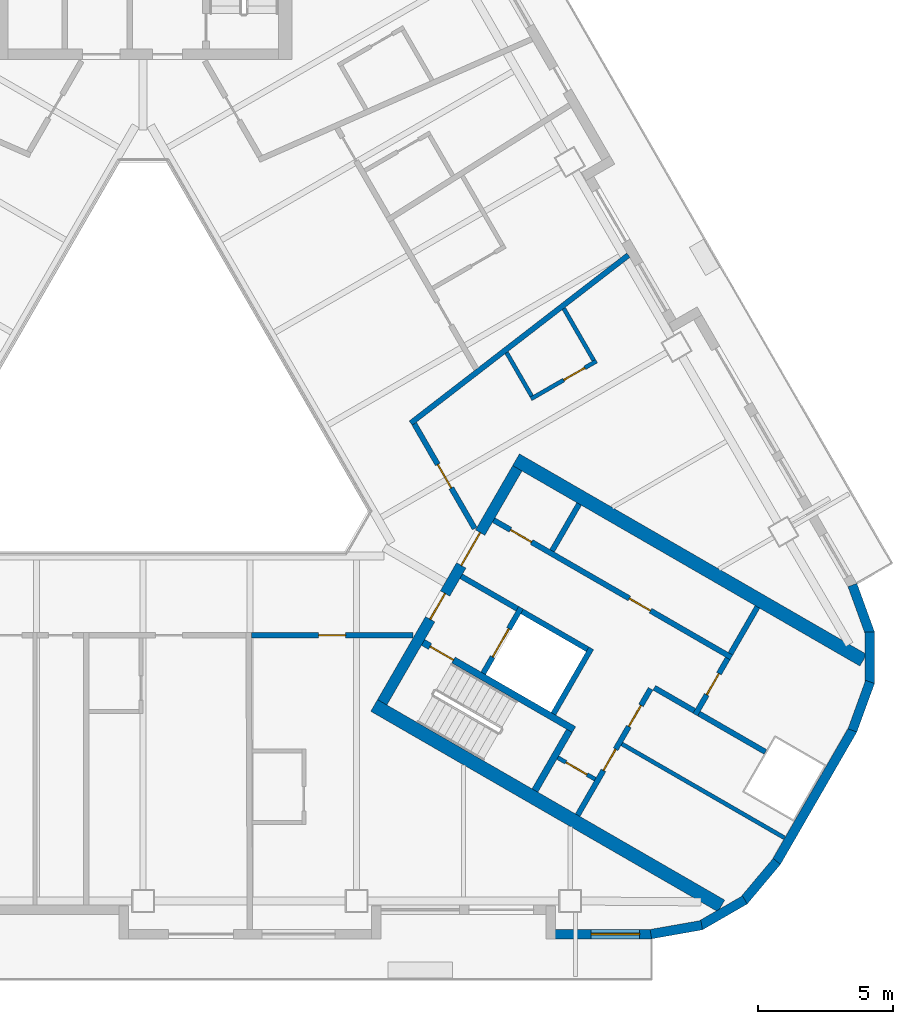
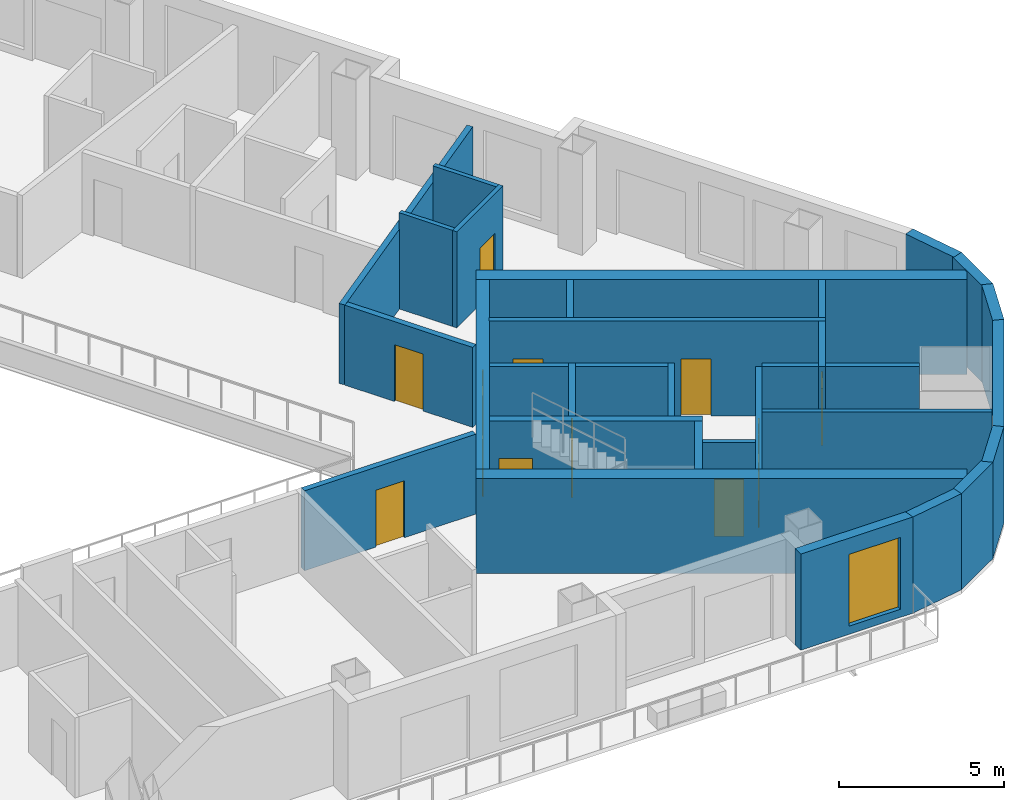
# One storey, part 5 of 14: 32 walls, 13 doors, 1 window, 14 openings.
"""IFC4 building model written with IfcOpenShell, lengths in metres."""

from ifc_helpers import new_model, si_unit, direction, frame, frame_2d, origin, place, context, subcontext, project, spatial, rectangle, extrude, material, layer, layer_set, type_object, element, fill, save


model = new_model("IFC4")

# Units and contexts
model_context = context("Model", 3, precision=1e-05, world=origin(), true_north=direction((0.0, 1.0)))
body_context = subcontext(model_context, "Body", "Model", "MODEL_VIEW")
ifc_project = project(units=[si_unit("LENGTHUNIT", "METRE"), si_unit("AREAUNIT", "SQUARE_METRE"), si_unit("VOLUMEUNIT", "CUBIC_METRE"), si_unit("PLANEANGLEUNIT", "RADIAN"), si_unit("MASSUNIT", "GRAM", prefix="KILO")], contexts=[model_context])

# Site, building, storey
site_placement = place(None, origin())
site = spatial("IfcSite", under=ifc_project, at=site_placement, CompositionType="ELEMENT")
building_placement = place(site_placement, origin())
building = spatial("IfcBuilding", under=site, at=building_placement, Name="Apuvela Tower Hotel", CompositionType="ELEMENT")
storey_placement = place(building_placement, frame((0.0, 0.0, 179.89990234375)))
storey = spatial("IfcBuildingStorey", under=building, at=storey_placement, Name="L43", CompositionType="ELEMENT", Elevation=179.89990234375)

# Wall, openings, doors
ifc_material_1 = material(Name="Concrete C50/60", Category="concrete")
ifc_layer_1 = layer(ifc_material_1, 0.39990234375)
ifc_layer_set_1 = layer_set([ifc_layer_1], Name="COR-WALL-CORE-400")
wall_type_1 = type_object("IfcWallType", Name="COR-WALL-CORE-400", PredefinedType="SHEAR", material=ifc_layer_set_1)
wall_1_placement = place(storey_placement, frame((8.844970703125, -10.880126953125, 0.0), z_axis=(0.0, 0.0, 1.0), x_axis=(0.500004234368, 0.866022959057, 0.0)))
wall_1 = element("IfcWall", 1, at=wall_1_placement, inside=storey, type_object=wall_type_1, Name="Core wall SE", PredefinedType="SHEAR", context=body_context, shape_type="SweptSolid", body=[
    extrude(rectangle(XDim=10.0, YDim=0.39990234375, at=frame_2d((5.0, 0.0))), origin(), (0.0, 0.0, 1.0), 3.5),
])
opening_1_placement = place(wall_1_placement, frame((3.550048828125, 0.0, 0.0)))
opening_1 = element("IfcOpeningElement", 2, at=opening_1_placement, cuts=wall_1, Name="Opening E-FD", PredefinedType="OPENING", context=body_context, shape_type="SweptSolid", body=[
    extrude(rectangle(XDim=1.10009765625, YDim=2.10009765625, at=frame_2d((0.550048828125, 1.050048828125))), frame((0.0, 0.2099609375, 0.0), z_axis=(0.0, -1.0, 0.0), x_axis=(1.0, 0.0, 0.0)), (0.0, 0.0, 1.0), 0.419921875),
])
opening_2_placement = place(wall_1_placement, frame((5.85009765625, 0.0, 0.0)))
opening_2 = element("IfcOpeningElement", 3, at=opening_2_placement, cuts=wall_1, Name="Opening E-GD", PredefinedType="OPENING", context=body_context, shape_type="SweptSolid", body=[
    extrude(rectangle(XDim=1.39990234375, YDim=2.10009765625, at=frame_2d((0.699951171875, 1.050048828125))), frame((0.0, 0.2099609375, 0.0), z_axis=(0.0, -1.0, 0.0), x_axis=(1.0, 0.0, 0.0)), (0.0, 0.0, 1.0), 0.419921875),
])
ifc_material_2 = material(Name="Steel fire door, powder coated", Category="steel")
door_type_1 = type_object("IfcDoorType", Name="COR-FD-1100", OperationType="NOTDEFINED", PredefinedType="DOOR", material=ifc_material_2)
door_1_placement = place(opening_1_placement, frame((1.10009765625, 0.0, 0.0), z_axis=(0.0, 0.0, 1.0), x_axis=(-1.0, 0.0, 0.0)))
door_1 = element("IfcDoor", 4, at=door_1_placement, inside=storey, type_object=door_type_1, Name="Firefighting lobby door E-FD", OperationType="SINGLE_SWING_LEFT", OverallHeight=2.10009765625, OverallWidth=1.10009765625, PredefinedType="DOOR", context=body_context, shape_type="SweptSolid", body=[
    extrude(rectangle(XDim=1.10009765625, YDim=2.10009765625, at=frame_2d((0.550048828125, 1.050048828125))), frame((0.0, 0.02490234375, 0.0), z_axis=(0.0, -1.0, 0.0), x_axis=(1.0, 0.0, 0.0)), (0.0, 0.0, 1.0), 0.050048828125),
])
fill(opening_1, door_1)
ifc_material_3 = material(Name="Glazed steel fire door", Category="steel")
door_type_2 = type_object("IfcDoorType", Name="COR-GD-1400", OperationType="DOUBLE_DOOR_SINGLE_SWING", PredefinedType="DOOR", material=ifc_material_3)
door_2_placement = place(opening_2_placement, frame((1.39990234375, 0.0, 0.0), z_axis=(0.0, 0.0, 1.0), x_axis=(-1.0, 0.0, 0.0)))
door_2 = element("IfcDoor", 5, at=door_2_placement, inside=storey, type_object=door_type_2, Name="Lift lobby door E-GD", OperationType="DOUBLE_DOOR_SINGLE_SWING", OverallHeight=2.10009765625, OverallWidth=1.39990234375, PredefinedType="DOOR", context=body_context, shape_type="SweptSolid", body=[
    extrude(rectangle(XDim=1.39990234375, YDim=2.10009765625, at=frame_2d((0.699951171875, 1.050048828125))), frame((0.0, 0.02490234375, 0.0), z_axis=(0.0, -1.0, 0.0), x_axis=(1.0, 0.0, 0.0)), (0.0, 0.0, 1.0), 0.050048828125),
])
fill(opening_2, door_2)

# Walls
ifc_layer_2 = layer(ifc_material_1, 0.5)
ifc_layer_set_2 = layer_set([ifc_layer_2], Name="COR-WALL-CORE-500")
wall_type_2 = type_object("IfcWallType", Name="COR-WALL-CORE-500", PredefinedType="SHEAR", material=ifc_layer_set_2)
for number, where, z_axis, x_axis, name in (
    (6, (8.546630859375, -10.99658203125, 0.0), (0.0, 0.0, 1.0), (0.866025009528, -0.500000682871, 0.0), "Core wall SE"),
    (7, (13.796630859375, -1.9033203125, 0.0), (0.0, 0.0, 1.0), (0.866025009528, -0.500000682871, 0.0), "Core wall SE"),
):
    element("IfcWall", number, at=place(storey_placement, frame(where, z_axis=z_axis, x_axis=x_axis)), inside=storey, type_object=wall_type_2, Name=name, PredefinedType="SHEAR", context=body_context, shape_type="SweptSolid", body=[
        extrude(rectangle(XDim=14.8369140625, YDim=0.5, at=frame_2d((7.41845703125, 0.0))), origin(), (0.0, 0.0, 1.0), 3.5),
    ])

# Wall, opening, door
ifc_material_4 = material(Name="Blockwork 150 mm plastered", Category="masonry")
ifc_layer_3 = layer(ifc_material_4, 0.14990234375)
ifc_layer_set_3 = layer_set([ifc_layer_3], Name="COR-WALL-PART-150")
wall_type_3 = type_object("IfcWallType", Name="COR-WALL-PART-150", PredefinedType="PARTITIONING", material=ifc_layer_set_3)
wall_2_placement = place(storey_placement, frame((15.341552734375, -12.927734375, 0.0), z_axis=(0.0, 0.0, 1.0), x_axis=(0.865989903783, -0.500061482766, 0.0)))
wall_2 = element("IfcWall", 8, at=wall_2_placement, inside=storey, type_object=wall_type_3, Name="Partition SE", PredefinedType="PARTITIONING", context=body_context, shape_type="SweptSolid", body=[
    extrude(rectangle(XDim=1.599853515625, YDim=0.14990234375, at=frame_2d((0.7998046875, 0.0))), origin(), (0.0, 0.0, 1.0), 3.5),
])
opening_3_placement = place(wall_2_placement, frame((0.35009765625, 0.0, 0.0)))
opening_3 = element("IfcOpeningElement", 9, at=opening_3_placement, cuts=wall_2, Name="Opening E-RD", PredefinedType="OPENING", context=body_context, shape_type="SweptSolid", body=[
    extrude(rectangle(XDim=0.89990234375, YDim=2.10009765625, at=frame_2d((0.449951171875, 1.050048828125))), frame((0.0, 0.0849609375, 0.0), z_axis=(0.0, -1.0, 0.0), x_axis=(1.0, 0.0, 0.0)), (0.0, 0.0, 1.0), 0.169921875),
])
ifc_material_5 = material(Name="Steel access door, powder coated", Category="steel")
door_type_3 = type_object("IfcDoorType", Name="COR-RD-900", OperationType="NOTDEFINED", PredefinedType="DOOR", material=ifc_material_5)
door_3_placement = place(opening_3_placement, frame((0.89990234375, 0.0, 0.0), z_axis=(0.0, 0.0, 1.0), x_axis=(-1.0, 0.0, 0.0)))
door_3 = element("IfcDoor", 10, at=door_3_placement, inside=storey, type_object=door_type_3, Name="Riser door E-RD", OperationType="SINGLE_SWING_LEFT", OverallHeight=2.10009765625, OverallWidth=0.89990234375, PredefinedType="DOOR", context=body_context, shape_type="SweptSolid", body=[
    extrude(rectangle(XDim=0.89990234375, YDim=2.10009765625, at=frame_2d((0.449951171875, 1.050048828125))), frame((0.0, 0.02490234375, 0.0), z_axis=(0.0, -1.0, 0.0), x_axis=(1.0, 0.0, 0.0)), (0.0, 0.0, 1.0), 0.050048828125),
])
fill(opening_3, door_3)

# Wall
wall_3_placement = place(storey_placement, frame((17.712890625, -12.42041015625, 0.0), z_axis=(0.0, 0.0, 1.0), x_axis=(0.866016523273, -0.500015381182, 0.0)))
element("IfcWall", 11, at=wall_3_placement, inside=storey, type_object=wall_type_3, Name="Partition SE", PredefinedType="PARTITIONING", context=body_context, shape_type="SweptSolid", body=[
    extrude(rectangle(XDim=6.949951171875, YDim=0.14990234375, at=frame_2d((3.47509765625, 0.0))), origin(), (0.0, 0.0, 1.0), 3.5),
])

# Wall, openings, doors
ifc_material_6 = material(Name="Blockwork 200 mm plastered", Category="masonry")
ifc_layer_4 = layer(ifc_material_6, 0.199951171875)
ifc_layer_set_4 = layer_set([ifc_layer_4], Name="COR-WALL-PART-200")
wall_type_4 = type_object("IfcWallType", Name="COR-WALL-PART-200", PredefinedType="PARTITIONING", material=ifc_layer_set_4)
wall_4_placement = place(storey_placement, frame((16.076171875, -15.05517578125, 0.0), z_axis=(0.0, 0.0, 1.0), x_axis=(0.499995103361, 0.866028230842, 0.0)))
wall_4 = element("IfcWall", 12, at=wall_4_placement, inside=storey, type_object=wall_type_4, Name="Partition SE", PredefinedType="PARTITIONING", context=body_context, shape_type="SweptSolid", body=[
    extrude(rectangle(XDim=5.39990234375, YDim=0.199951171875, at=frame_2d((2.699951171875, 0.0))), origin(), (0.0, 0.0, 1.0), 3.5),
])
opening_4_placement = place(wall_4_placement, frame((1.91259765625, 0.0, 0.0)))
opening_4 = element("IfcOpeningElement", 13, at=opening_4_placement, cuts=wall_4, Name="Opening E-RS1", PredefinedType="OPENING", context=body_context, shape_type="SweptSolid", body=[
    extrude(rectangle(XDim=0.89990234375, YDim=2.10009765625, at=frame_2d((0.449951171875, 1.050048828125))), frame((0.0, 0.10986328125, 0.0), z_axis=(0.0, -1.0, 0.0), x_axis=(1.0, 0.0, 0.0)), (0.0, 0.0, 1.0), 0.219970703125),
])
opening_5_placement = place(wall_4_placement, frame((3.78759765625, 0.0, 0.0)))
opening_5 = element("IfcOpeningElement", 14, at=opening_5_placement, cuts=wall_4, Name="Opening E-RS2", PredefinedType="OPENING", context=body_context, shape_type="SweptSolid", body=[
    extrude(rectangle(XDim=0.89990234375, YDim=2.10009765625, at=frame_2d((0.449951171875, 1.050048828125))), frame((0.0, 0.10986328125, 0.0), z_axis=(0.0, -1.0, 0.0), x_axis=(1.0, 0.0, 0.0)), (0.0, 0.0, 1.0), 0.219970703125),
])
door_type_4 = type_object("IfcDoorType", Name="COR-DR-900", OperationType="NOTDEFINED", PredefinedType="DOOR", material=ifc_material_2)
door_4_placement = place(opening_4_placement, frame((0.89990234375, 0.0, 0.0), z_axis=(0.0, 0.0, 1.0), x_axis=(-1.0, 0.0, 0.0)))
door_4 = element("IfcDoor", 15, at=door_4_placement, inside=storey, type_object=door_type_4, Name="Store door E-RS1", OperationType="SINGLE_SWING_LEFT", OverallHeight=2.10009765625, OverallWidth=0.89990234375, PredefinedType="DOOR", context=body_context, shape_type="SweptSolid", body=[
    extrude(rectangle(XDim=0.89990234375, YDim=2.10009765625, at=frame_2d((0.449951171875, 1.050048828125))), frame((0.0, 0.02490234375, 0.0), z_axis=(0.0, -1.0, 0.0), x_axis=(1.0, 0.0, 0.0)), (0.0, 0.0, 1.0), 0.050048828125),
])
fill(opening_4, door_4)
door_5_placement = place(opening_5_placement, frame((0.89990234375, 0.0, 0.0), z_axis=(0.0, 0.0, 1.0), x_axis=(-1.0, 0.0, 0.0)))
door_5 = element("IfcDoor", 16, at=door_5_placement, inside=storey, type_object=door_type_4, Name="Store door E-RS2", OperationType="SINGLE_SWING_LEFT", OverallHeight=2.10009765625, OverallWidth=0.89990234375, PredefinedType="DOOR", context=body_context, shape_type="SweptSolid", body=[
    extrude(rectangle(XDim=0.89990234375, YDim=2.10009765625, at=frame_2d((0.449951171875, 1.050048828125))), frame((0.0, 0.02490234375, 0.0), z_axis=(0.0, -1.0, 0.0), x_axis=(1.0, 0.0, 0.0)), (0.0, 0.0, 1.0), 0.050048828125),
])
fill(opening_5, door_5)

# Wall
ifc_layer_5 = layer(ifc_material_1, 0.199951171875)
ifc_layer_set_5 = layer_set([ifc_layer_5], Name="COR-WALL-SHAFT-200")
wall_type_5 = type_object("IfcWallType", Name="COR-WALL-SHAFT-200", PredefinedType="SHEAR", material=ifc_layer_set_5)
wall_5_placement = place(storey_placement, frame((15.181396484375, -11.305419921875, 0.0), z_axis=(0.0, 0.0, 1.0), x_axis=(0.49994636267, 0.866056369097, 0.0)))
element("IfcWall", 17, at=wall_5_placement, inside=storey, type_object=wall_type_5, Name="Shaft wall SE", PredefinedType="SHEAR", context=body_context, shape_type="SweptSolid", body=[
    extrude(rectangle(XDim=2.800048828125, YDim=0.199951171875, at=frame_2d((1.39990234375, 0.0))), origin(), (0.0, 0.0, 1.0), 3.5),
])

# Wall, opening, door
wall_6_placement = place(storey_placement, frame((12.583251953125, -9.805419921875, 0.0), z_axis=(0.0, 0.0, 1.0), x_axis=(0.49994636267, 0.866056369097, 0.0)))
wall_6 = element("IfcWall", 18, at=wall_6_placement, inside=storey, type_object=wall_type_5, Name="Shaft wall SE", PredefinedType="SHEAR", context=body_context, shape_type="SweptSolid", body=[
    extrude(rectangle(XDim=2.800048828125, YDim=0.199951171875, at=frame_2d((1.39990234375, 0.0))), origin(), (0.0, 0.0, 1.0), 3.5),
])
opening_6_placement = place(wall_6_placement, frame((0.699951171875, 0.0, 0.0)))
opening_6 = element("IfcOpeningElement", 19, at=opening_6_placement, cuts=wall_6, Name="Opening E-LD-FS3", PredefinedType="OPENING", context=body_context, shape_type="SweptSolid", body=[
    extrude(rectangle(XDim=1.199951171875, YDim=2.10009765625, at=frame_2d((0.60009765625, 1.050048828125))), frame((0.0, 0.10986328125, 0.0), z_axis=(0.0, -1.0, 0.0), x_axis=(1.0, 0.0, 0.0)), (0.0, 0.0, 1.0), 0.219970703125),
])
ifc_material_7 = material(Name="Stainless steel lift landing door", Category="steel")
door_type_5 = type_object("IfcDoorType", Name="COR-LD-1200", OperationType="DOUBLE_DOOR_SLIDING", PredefinedType="DOOR", material=ifc_material_7)
door_6_placement = place(opening_6_placement, origin())
door_6 = element("IfcDoor", 20, at=door_6_placement, inside=storey, type_object=door_type_5, Name="Lift landing door E-LD-FS3", OperationType="DOUBLE_DOOR_SLIDING", OverallHeight=2.10009765625, OverallWidth=1.199951171875, PredefinedType="DOOR", context=body_context, shape_type="SweptSolid", body=[
    extrude(rectangle(XDim=1.199951171875, YDim=2.10009765625, at=frame_2d((0.60009765625, 1.050048828125))), frame((0.0, 0.02490234375, 0.0), z_axis=(0.0, -1.0, 0.0), x_axis=(1.0, 0.0, 0.0)), (0.0, 0.0, 1.0), 0.050048828125),
])
fill(opening_6, door_6)

# Walls
wall_7_placement = place(storey_placement, frame((11.76806640625, -6.217041015625, 0.0), z_axis=(0.0, 0.0, 1.0), x_axis=(0.866050077142, -0.499957262057, 0.0)))
element("IfcWall", 21, at=wall_7_placement, inside=storey, type_object=wall_type_5, Name="Shaft wall SE", PredefinedType="SHEAR", context=body_context, shape_type="SweptSolid", body=[
    extrude(rectangle(XDim=2.400146484375, YDim=0.199951171875, at=frame_2d((1.2001953125, 0.0))), origin(), (0.0, 0.0, 1.0), 3.5),
])
wall_8_placement = place(storey_placement, frame((14.019775390625, -7.51708984375, 0.0), z_axis=(0.0, 0.0, 1.0), x_axis=(0.866034573852, -0.49998411664, 0.0)))
element("IfcWall", 22, at=wall_8_placement, inside=storey, type_object=wall_type_5, Name="Shaft wall SE", PredefinedType="SHEAR", context=body_context, shape_type="SweptSolid", body=[
    extrude(rectangle(XDim=2.7998046875, YDim=0.199951171875, at=frame_2d((1.39990234375, 0.0))), origin(), (0.0, 0.0, 1.0), 3.5),
])

# Wall, openings, doors
wall_9_placement = place(storey_placement, frame((12.968017578125, -4.138427734375, 0.0), z_axis=(0.0, 0.0, 1.0), x_axis=(0.866028328073, -0.49999493495, 0.0)))
wall_9 = element("IfcWall", 23, at=wall_9_placement, inside=storey, type_object=wall_type_5, Name="Shaft wall SE", PredefinedType="SHEAR", context=body_context, shape_type="SweptSolid", body=[
    extrude(rectangle(XDim=10.16015625, YDim=0.199951171875, at=frame_2d((5.080078125, 0.0))), origin(), (0.0, 0.0, 1.0), 3.5),
])
opening_7_placement = place(wall_9_placement, frame((0.719970703125, 0.0, 0.0)))
opening_7 = element("IfcOpeningElement", 24, at=opening_7_placement, cuts=wall_9, Name="Opening E-RE1", PredefinedType="OPENING", context=body_context, shape_type="SweptSolid", body=[
    extrude(rectangle(XDim=0.89990234375, YDim=2.10009765625, at=frame_2d((0.449951171875, 1.050048828125))), frame((0.0, 0.10986328125, 0.0), z_axis=(0.0, -1.0, 0.0), x_axis=(1.0, 0.0, 0.0)), (0.0, 0.0, 1.0), 0.219970703125),
])
opening_8_placement = place(wall_9_placement, frame((5.800048828125, 0.0, 0.0)))
opening_8 = element("IfcOpeningElement", 25, at=opening_8_placement, cuts=wall_9, Name="Opening E-RE2", PredefinedType="OPENING", context=body_context, shape_type="SweptSolid", body=[
    extrude(rectangle(XDim=0.89990234375, YDim=2.10009765625, at=frame_2d((0.449951171875, 1.050048828125))), frame((0.0, 0.10986328125, 0.0), z_axis=(0.0, -1.0, 0.0), x_axis=(1.0, 0.0, 0.0)), (0.0, 0.0, 1.0), 0.219970703125),
])
door_7_placement = place(opening_7_placement, origin())
door_7 = element("IfcDoor", 26, at=door_7_placement, inside=storey, type_object=door_type_4, Name="Store door E-RE1", OperationType="SINGLE_SWING_LEFT", OverallHeight=2.10009765625, OverallWidth=0.89990234375, PredefinedType="DOOR", context=body_context, shape_type="SweptSolid", body=[
    extrude(rectangle(XDim=0.89990234375, YDim=2.10009765625, at=frame_2d((0.449951171875, 1.050048828125))), frame((0.0, 0.02490234375, 0.0), z_axis=(0.0, -1.0, 0.0), x_axis=(1.0, 0.0, 0.0)), (0.0, 0.0, 1.0), 0.050048828125),
])
fill(opening_7, door_7)
door_8_placement = place(opening_8_placement, origin())
door_8 = element("IfcDoor", 27, at=door_8_placement, inside=storey, type_object=door_type_4, Name="Store door E-RE2", OperationType="SINGLE_SWING_LEFT", OverallHeight=2.10009765625, OverallWidth=0.89990234375, PredefinedType="DOOR", context=body_context, shape_type="SweptSolid", body=[
    extrude(rectangle(XDim=0.89990234375, YDim=2.10009765625, at=frame_2d((0.449951171875, 1.050048828125))), frame((0.0, 0.02490234375, 0.0), z_axis=(0.0, -1.0, 0.0), x_axis=(1.0, 0.0, 0.0)), (0.0, 0.0, 1.0), 0.050048828125),
])
fill(opening_8, door_8)

# Wall, opening, door
wall_10_placement = place(storey_placement, frame((20.430419921875, -11.33349609375, 0.0), z_axis=(0.0, 0.0, 1.0), x_axis=(0.500001309137, 0.866024647952, 0.0)))
wall_10 = element("IfcWall", 28, at=wall_10_placement, inside=storey, type_object=wall_type_5, Name="Shaft wall SE", PredefinedType="SHEAR", context=body_context, shape_type="SweptSolid", body=[
    extrude(rectangle(XDim=2.39990234375, YDim=0.199951171875, at=frame_2d((1.199951171875, 0.0))), origin(), (0.0, 0.0, 1.0), 3.5),
])
opening_9_placement = place(wall_10_placement, frame((0.85009765625, 0.0, 0.0)))
opening_9 = element("IfcOpeningElement", 29, at=opening_9_placement, cuts=wall_10, Name="Opening E-REP", PredefinedType="OPENING", context=body_context, shape_type="SweptSolid", body=[
    extrude(rectangle(XDim=0.89990234375, YDim=2.10009765625, at=frame_2d((0.449951171875, 1.050048828125))), frame((0.0, 0.10986328125, 0.0), z_axis=(0.0, -1.0, 0.0), x_axis=(1.0, 0.0, 0.0)), (0.0, 0.0, 1.0), 0.219970703125),
])
door_9_placement = place(opening_9_placement, frame((0.89990234375, 0.0, 0.0), z_axis=(0.0, 0.0, 1.0), x_axis=(-1.0, 0.0, 0.0)))
door_9 = element("IfcDoor", 30, at=door_9_placement, inside=storey, type_object=door_type_4, Name="Store door E-REP", OperationType="SINGLE_SWING_RIGHT", OverallHeight=2.10009765625, OverallWidth=0.89990234375, PredefinedType="DOOR", context=body_context, shape_type="SweptSolid", body=[
    extrude(rectangle(XDim=0.89990234375, YDim=2.10009765625, at=frame_2d((0.449951171875, 1.050048828125))), frame((0.0, 0.02490234375, 0.0), z_axis=(0.0, -1.0, 0.0), x_axis=(1.0, 0.0, 0.0)), (0.0, 0.0, 1.0), 0.050048828125),
])
fill(opening_9, door_9)

# Walls
wall_11_placement = place(storey_placement, frame((18.912841796875, -10.342041015625, 0.0), z_axis=(0.0, 0.0, 1.0), x_axis=(0.866038183914, -0.499977863513, 0.0)))
element("IfcWall", 31, at=wall_11_placement, inside=storey, type_object=wall_type_5, Name="Shaft wall SE", PredefinedType="SHEAR", context=body_context, shape_type="SweptSolid", body=[
    extrude(rectangle(XDim=1.7099609375, YDim=0.199951171875, at=frame_2d((0.85498046875, 0.0))), origin(), (0.0, 0.0, 1.0), 3.5),
])
for number, where, z_axis, x_axis, name in (
    (32, (15.131103515625, -5.27197265625, 0.0), (0.0, 0.0, 1.0), (0.499972520799, 0.866041268327, 0.0), "Shaft wall SE"),
    (33, (21.73046875, -9.081787109375, 0.0), (0.0, 0.0, 1.0), (0.50002537861, 0.866010750942, 0.0), "Shaft wall SE"),
):
    element("IfcWall", number, at=place(storey_placement, frame(where, z_axis=z_axis, x_axis=x_axis)), inside=storey, type_object=wall_type_5, Name=name, PredefinedType="SHEAR", context=body_context, shape_type="SweptSolid", body=[
        extrude(rectangle(XDim=2.0, YDim=0.199951171875, at=frame_2d((1.0, 0.0))), origin(), (0.0, 0.0, 1.0), 3.5),
    ])
wall_12_placement = place(storey_placement, frame((20.56689453125, -11.297119140625, 0.0), z_axis=(0.0, 0.0, 1.0), x_axis=(0.866055327414, -0.49994816717, 0.0)))
element("IfcWall", 34, at=wall_12_placement, inside=storey, type_object=wall_type_5, Name="Shaft wall SE", PredefinedType="SHEAR", context=body_context, shape_type="SweptSolid", body=[
    extrude(rectangle(XDim=2.840087890625, YDim=0.199951171875, at=frame_2d((1.419921875, 0.0))), origin(), (0.0, 0.0, 1.0), 3.5),
])

# Wall, opening, door
ifc_layer_6 = layer(ifc_material_1, 0.25)
ifc_layer_set_6 = layer_set([ifc_layer_6], Name="COR-WALL-STAIR-250")
wall_type_6 = type_object("IfcWallType", Name="COR-WALL-STAIR-250", PredefinedType="SHEAR", material=ifc_layer_set_6)
wall_13_placement = place(storey_placement, frame((10.355712890625, -8.66357421875, 0.0), z_axis=(0.0, 0.0, 1.0), x_axis=(0.866028629588, -0.499994412703, 0.0)))
wall_13 = element("IfcWall", 35, at=wall_13_placement, inside=storey, type_object=wall_type_6, Name="Stair wall SE", PredefinedType="SHEAR", context=body_context, shape_type="SweptSolid", body=[
    extrude(rectangle(XDim=6.44970703125, YDim=0.25, at=frame_2d((3.224853515625, 0.0))), origin(), (0.0, 0.0, 1.0), 3.5),
])
opening_10_placement = place(wall_13_placement, frame((0.300048828125, 0.0, 0.0)))
opening_10 = element("IfcOpeningElement", 36, at=opening_10_placement, cuts=wall_13, Name="Opening E-SD", PredefinedType="OPENING", context=body_context, shape_type="SweptSolid", body=[
    extrude(rectangle(XDim=1.0, YDim=2.10009765625, at=frame_2d((0.5, 1.050048828125))), frame((0.0, 0.135009765625, 0.0), z_axis=(0.0, -1.0, 0.0), x_axis=(1.0, 0.0, 0.0)), (0.0, 0.0, 1.0), 0.27001953125),
])
door_type_6 = type_object("IfcDoorType", Name="COR-SD-1000", OperationType="NOTDEFINED", PredefinedType="DOOR", material=ifc_material_2)
door_10_placement = place(opening_10_placement, frame((1.0, 0.0, 0.0), z_axis=(0.0, 0.0, 1.0), x_axis=(-1.0, 0.0, 0.0)))
door_10 = element("IfcDoor", 37, at=door_10_placement, inside=storey, type_object=door_type_6, Name="Stair door E-SD", OperationType="SINGLE_SWING_LEFT", OverallHeight=2.10009765625, OverallWidth=1.0, PredefinedType="DOOR", context=body_context, shape_type="SweptSolid", body=[
    extrude(rectangle(XDim=1.0, YDim=2.10009765625, at=frame_2d((0.5, 1.050048828125))), frame((0.0, 0.02490234375, 0.0), z_axis=(0.0, -1.0, 0.0), x_axis=(1.0, 0.0, 0.0)), (0.0, 0.0, 1.0), 0.050048828125),
])
fill(opening_10, door_10)

# Wall
wall_14_placement = place(storey_placement, frame((14.49560546875, -14.142578125, 0.0), z_axis=(0.0, 0.0, 1.0), x_axis=(0.500062241894, 0.865989465428, 0.0)))
element("IfcWall", 38, at=wall_14_placement, inside=storey, type_object=wall_type_6, Name="Stair wall SE", PredefinedType="SHEAR", context=body_context, shape_type="SweptSolid", body=[
    extrude(rectangle(XDim=2.550048828125, YDim=0.25, at=frame_2d((1.27490234375, 0.0))), origin(), (0.0, 0.0, 1.0), 3.5),
])

# Wall, opening, window
ifc_material_8 = material(Name="Concrete C40/50, dark pigmented precast panel", Category="concrete")
ifc_layer_7 = layer(ifc_material_8, 0.35009765625)
ifc_layer_set_7 = layer_set([ifc_layer_7], Name="ENV-WALL-350")
wall_type_7 = type_object("IfcWallType", Name="ENV-WALL-350", PredefinedType="SOLIDWALL", material=ifc_layer_set_7)
wall_15_placement = place(storey_placement, frame((14.89990234375, -19.455078125, 0.0), z_axis=(0.0, 0.0, 1.0), x_axis=(1.0, 0.0, 0.0)))
wall_15 = element("IfcWall", 39, at=wall_15_placement, inside=storey, type_object=wall_type_7, Name="External wall L43-25", PredefinedType="SOLIDWALL", context=body_context, shape_type="SweptSolid", body=[
    extrude(rectangle(XDim=3.916015625, YDim=0.35009765625, at=frame_2d((1.9580078125, 0.0))), origin(), (0.0, 0.0, 1.0), 3.550048828125),
])
opening_11_placement = place(wall_15_placement, frame((1.674560546875, 0.0, 0.300048828125)))
opening_11 = element("IfcOpeningElement", 40, at=opening_11_placement, cuts=wall_15, Name="Opening WN18", PredefinedType="OPENING", context=body_context, shape_type="SweptSolid", body=[
    extrude(rectangle(XDim=1.800048828125, YDim=2.64990234375, at=frame_2d((0.89990234375, 1.324951171875))), frame((0.0, 0.18505859375, 0.0), z_axis=(0.0, -1.0, 0.0), x_axis=(1.0, 0.0, 0.0)), (0.0, 0.0, 1.0), 0.3701171875),
])
ifc_material_9 = material(Name="Glass, dark tinted laminated insulated glazing unit", Category="glass")
window_type = type_object("IfcWindowType", Name="ENV-WIN-1800x2650", PartitioningType="SINGLE_PANEL", PredefinedType="WINDOW", material=ifc_material_9)
window_placement = place(opening_11_placement, origin())
window = element("IfcWindow", 41, at=window_placement, inside=storey, type_object=window_type, Name="Window WN18", OverallHeight=2.64990234375, OverallWidth=1.800048828125, PartitioningType="SINGLE_PANEL", PredefinedType="WINDOW", context=body_context, shape_type="SweptSolid", body=[
    extrude(rectangle(XDim=1.800048828125, YDim=2.64990234375, at=frame_2d((0.89990234375, 1.324951171875))), frame((0.0, 0.030029296875, 0.0), z_axis=(0.0, -1.0, 0.0), x_axis=(1.0, 0.0, 0.0)), (0.0, 0.0, 1.0), 0.06005859375),
])
fill(opening_11, window)

# Walls
wall_16_placement = place(storey_placement, frame((18.785400390625, -19.457763671875, 0.0), z_axis=(0.0, 0.0, 1.0), x_axis=(0.984798995425, 0.173697837091, 0.0)))
element("IfcWall", 42, at=wall_16_placement, inside=storey, type_object=wall_type_7, Name="External wall L43-26", PredefinedType="SOLIDWALL", context=body_context, shape_type="SweptSolid", body=[
    extrude(rectangle(XDim=1.91015625, YDim=0.35009765625, at=frame_2d((0.955078125, 0.0))), origin(), (0.0, 0.0, 1.0), 3.550048828125),
])
for number, where, z_axis, x_axis, name in (
    (43, (20.609619140625, -19.146728515625, 0.0), (0.0, 0.0, 1.0), (0.866000389056, 0.500043324278, 0.0), "External wall L43-27"),
    (44, (22.21728515625, -18.230712890625, 0.0), (0.0, 0.0, 1.0), (0.642733291068, 0.76609001857, 0.0), "External wall L43-28"),
):
    element("IfcWall", number, at=place(storey_placement, frame(where, z_axis=z_axis, x_axis=x_axis)), inside=storey, type_object=wall_type_7, Name=name, PredefinedType="SOLIDWALL", context=body_context, shape_type="SweptSolid", body=[
        extrude(rectangle(XDim=1.909912109375, YDim=0.35009765625, at=frame_2d((0.955078125, 0.0))), origin(), (0.0, 0.0, 1.0), 3.550048828125),
    ])
wall_17_placement = place(storey_placement, frame((23.427490234375, -16.79248046875, 0.0), z_axis=(0.0, 0.0, 1.0), x_axis=(0.500018773155, 0.866014564827, 0.0)))
element("IfcWall", 45, at=wall_17_placement, inside=storey, type_object=wall_type_7, Name="External wall L43-29", PredefinedType="SOLIDWALL", context=body_context, shape_type="SweptSolid", body=[
    extrude(rectangle(XDim=5.657958984375, YDim=0.35009765625, at=frame_2d((2.8291015625, 0.0))), origin(), (0.0, 0.0, 1.0), 3.550048828125),
])
for number, where, z_axis, x_axis, name in (
    (46, (26.24365234375, -11.920166015625, 0.0), (0.0, 0.0, 1.0), (0.342030395486, 0.939688889242, 0.0), "External wall L43-30"),
    (47, (26.88623046875, -10.18505859375, 0.0), (0.0, 0.0, 1.0), (0.0, 1.0, 0.0), "External wall L43-31"),
    (48, (26.89697265625, -8.334716796875, 0.0), (0.0, 0.0, 1.0), (-0.342030395486, 0.939688889242, 0.0), "External wall L43-32"),
):
    element("IfcWall", number, at=place(storey_placement, frame(where, z_axis=z_axis, x_axis=x_axis)), inside=storey, type_object=wall_type_7, Name=name, PredefinedType="SOLIDWALL", context=body_context, shape_type="SweptSolid", body=[
        extrude(rectangle(XDim=1.91015625, YDim=0.35009765625, at=frame_2d((0.955078125, 0.0))), origin(), (0.0, 0.0, 1.0), 3.550048828125),
    ])
ifc_material_10 = material(Name="Gypsum board partition on twin steel stud", Category="steel")
ifc_layer_8 = layer(ifc_material_10, 0.199951171875)
ifc_layer_set_8 = layer_set([ifc_layer_8], Name="GST-PW1")
wall_type_8 = type_object("IfcWallType", Name="GST-PW1", PredefinedType="PARTITIONING", material=ifc_layer_set_8)
wall_18_placement = place(storey_placement, frame((17.953125, 5.664306640625, 0.0), z_axis=(0.0, 0.0, 1.0), x_axis=(-0.791642262136, -0.610984884264, 0.0)))
element("IfcWall", 49, at=wall_18_placement, inside=storey, type_object=wall_type_8, Name="L43 partition 04", PredefinedType="PARTITIONING", context=body_context, shape_type="SweptSolid", body=[
    extrude(rectangle(XDim=10.170654296875, YDim=0.199951171875, at=frame_2d((5.08544921875, 0.0))), origin(), (0.0, 0.0, 1.0), 2.9501953125),
])

# Wall, opening, door
ifc_material_11 = material(Name="Gypsum board corridor wall on twin steel stud, acoustic", Category="steel")
ifc_layer_9 = layer(ifc_material_11, 0.199951171875)
ifc_layer_set_9 = layer_set([ifc_layer_9], Name="GST-PW2")
wall_type_9 = type_object("IfcWallType", Name="GST-PW2", PredefinedType="PARTITIONING", material=ifc_layer_set_9)
wall_19_placement = place(storey_placement, frame((9.98828125, -8.39990234375, 0.0), z_axis=(0.0, 0.0, 1.0), x_axis=(-1.0, 0.0, 0.0)))
wall_19 = element("IfcWall", 50, at=wall_19_placement, inside=storey, type_object=wall_type_9, Name="L43 partition 20", PredefinedType="PARTITIONING", context=body_context, shape_type="SweptSolid", body=[
    extrude(rectangle(XDim=5.98876953125, YDim=0.199951171875, at=frame_2d((2.994384765625, 0.0))), origin(), (0.0, 0.0, 1.0), 2.9501953125),
])
opening_12_placement = place(wall_19_placement, frame((2.494384765625, 0.0, 0.0)))
opening_12 = element("IfcOpeningElement", 51, at=opening_12_placement, cuts=wall_19, Name="Opening GD16-08", PredefinedType="OPENING", context=body_context, shape_type="SweptSolid", body=[
    extrude(rectangle(XDim=1.0, YDim=2.10009765625, at=frame_2d((0.5, 1.050048828125))), frame((0.0, 0.10986328125, 0.0), z_axis=(0.0, -1.0, 0.0), x_axis=(1.0, 0.0, 0.0)), (0.0, 0.0, 1.0), 0.219970703125),
])
ifc_material_12 = material(Name="Timber door leaf in steel frame", Category="steel")
door_type_7 = type_object("IfcDoorType", Name="GST-D1", OperationType="NOTDEFINED", PredefinedType="DOOR", material=ifc_material_12)
door_11_placement = place(opening_12_placement, origin())
door_11 = element("IfcDoor", 52, at=door_11_placement, inside=storey, type_object=door_type_7, Name="Door L43-08", OperationType="SINGLE_SWING_RIGHT", OverallHeight=2.10009765625, OverallWidth=1.0, PredefinedType="DOOR", context=body_context, shape_type="SweptSolid", body=[
    extrude(rectangle(XDim=1.0, YDim=2.10009765625, at=frame_2d((0.5, 1.050048828125))), frame((0.0, 0.02490234375, 0.0), z_axis=(0.0, -1.0, 0.0), x_axis=(1.0, 0.0, 0.0)), (0.0, 0.0, 1.0), 0.050048828125),
])
fill(opening_12, door_11)

wall_20_placement = place(storey_placement, frame((10.03173828125, -0.57568359375, 0.0), z_axis=(0.0, 0.0, 1.0), x_axis=(0.500042097992, -0.866001097133, 0.0)))
wall_20 = element("IfcWall", 53, at=wall_20_placement, inside=storey, type_object=wall_type_9, Name="L43 partition 24", PredefinedType="PARTITIONING", context=body_context, shape_type="SweptSolid", body=[
    extrude(rectangle(XDim=4.4736328125, YDim=0.199951171875, at=frame_2d((2.23681640625, 0.0))), origin(), (0.0, 0.0, 1.0), 2.9501953125),
])
opening_13_placement = place(wall_20_placement, frame((1.73681640625, 0.0, 0.0)))
opening_13 = element("IfcOpeningElement", 54, at=opening_13_placement, cuts=wall_20, Name="Opening GD16-10", PredefinedType="OPENING", context=body_context, shape_type="SweptSolid", body=[
    extrude(rectangle(XDim=1.0, YDim=2.10009765625, at=frame_2d((0.5, 1.050048828125))), frame((0.0, 0.10986328125, 0.0), z_axis=(0.0, -1.0, 0.0), x_axis=(1.0, 0.0, 0.0)), (0.0, 0.0, 1.0), 0.219970703125),
])
door_12_placement = place(opening_13_placement, origin())
door_12 = element("IfcDoor", 55, at=door_12_placement, inside=storey, type_object=door_type_7, Name="Door L43-10", OperationType="SINGLE_SWING_LEFT", OverallHeight=2.10009765625, OverallWidth=1.0, PredefinedType="DOOR", context=body_context, shape_type="SweptSolid", body=[
    extrude(rectangle(XDim=1.0, YDim=2.10009765625, at=frame_2d((0.5, 1.050048828125))), frame((0.0, 0.02490234375, 0.0), z_axis=(0.0, -1.0, 0.0), x_axis=(1.0, 0.0, 0.0)), (0.0, 0.0, 1.0), 0.050048828125),
])
fill(opening_13, door_12)

ifc_material_13 = material(Name="Moisture-resistant gypsum board wet wall on steel stud", Category="steel")
ifc_layer_10 = layer(ifc_material_13, 0.14990234375)
ifc_layer_set_10 = layer_set([ifc_layer_10], Name="GST-PW3")
wall_type_10 = type_object("IfcWallType", Name="GST-PW3", PredefinedType="PARTITIONING", material=ifc_layer_set_10)
wall_21_placement = place(storey_placement, frame((14.34912109375, 0.3466796875, 0.0), z_axis=(0.0, 0.0, 1.0), x_axis=(0.866034573852, 0.49998411664, 0.0)))
wall_21 = element("IfcWall", 56, at=wall_21_placement, inside=storey, type_object=wall_type_10, Name="L43 partition 25", PredefinedType="PARTITIONING", context=body_context, shape_type="SweptSolid", body=[
    extrude(rectangle(XDim=2.7998046875, YDim=0.14990234375, at=frame_2d((1.39990234375, 0.0))), origin(), (0.0, 0.0, 1.0), 3.550048828125),
])
opening_14_placement = place(wall_21_placement, frame((1.39990234375, 0.0, 0.0)))
opening_14 = element("IfcOpeningElement", 57, at=opening_14_placement, cuts=wall_21, Name="Opening GD16-09", PredefinedType="OPENING", context=body_context, shape_type="SweptSolid", body=[
    extrude(rectangle(XDim=0.89990234375, YDim=2.10009765625, at=frame_2d((0.449951171875, 1.050048828125))), frame((0.0, 0.0849609375, 0.0), z_axis=(0.0, -1.0, 0.0), x_axis=(1.0, 0.0, 0.0)), (0.0, 0.0, 1.0), 0.169921875),
])
door_type_8 = type_object("IfcDoorType", Name="GST-D2", OperationType="NOTDEFINED", PredefinedType="DOOR", material=ifc_material_12)
door_13_placement = place(opening_14_placement, origin())
door_13 = element("IfcDoor", 58, at=door_13_placement, inside=storey, type_object=door_type_8, Name="Door L43-09", OperationType="SINGLE_SWING_RIGHT", OverallHeight=2.10009765625, OverallWidth=0.89990234375, PredefinedType="DOOR", context=body_context, shape_type="SweptSolid", body=[
    extrude(rectangle(XDim=0.89990234375, YDim=2.10009765625, at=frame_2d((0.449951171875, 1.050048828125))), frame((0.0, 0.02490234375, 0.0), z_axis=(0.0, -1.0, 0.0), x_axis=(1.0, 0.0, 0.0)), (0.0, 0.0, 1.0), 0.050048828125),
])
fill(opening_14, door_13)

# Walls
wall_22_placement = place(storey_placement, frame((16.67138671875, 1.77392578125, 0.0), z_axis=(0.0, 0.0, 1.0), x_axis=(-0.499941746681, 0.866059033742, 0.0)))
element("IfcWall", 59, at=wall_22_placement, inside=storey, type_object=wall_type_10, Name="L43 partition 26", PredefinedType="PARTITIONING", context=body_context, shape_type="SweptSolid", body=[
    extrude(rectangle(XDim=2.216552734375, YDim=0.14990234375, at=frame_2d((1.1083984375, 0.0))), origin(), (0.0, 0.0, 1.0), 3.550048828125),
])
wall_23_placement = place(storey_placement, frame((14.376708984375, 0.448974609375, 0.0), z_axis=(0.0, 0.0, 1.0), x_axis=(-0.500063286585, 0.865988862174, 0.0)))
element("IfcWall", 60, at=wall_23_placement, inside=storey, type_object=wall_type_10, Name="L43 partition 27", PredefinedType="PARTITIONING", context=body_context, shape_type="SweptSolid", body=[
    extrude(rectangle(XDim=1.860107421875, YDim=0.14990234375, at=frame_2d((0.93017578125, 0.0))), origin(), (0.0, 0.0, 1.0), 3.550048828125),
])

save(model, "model.ifc")
